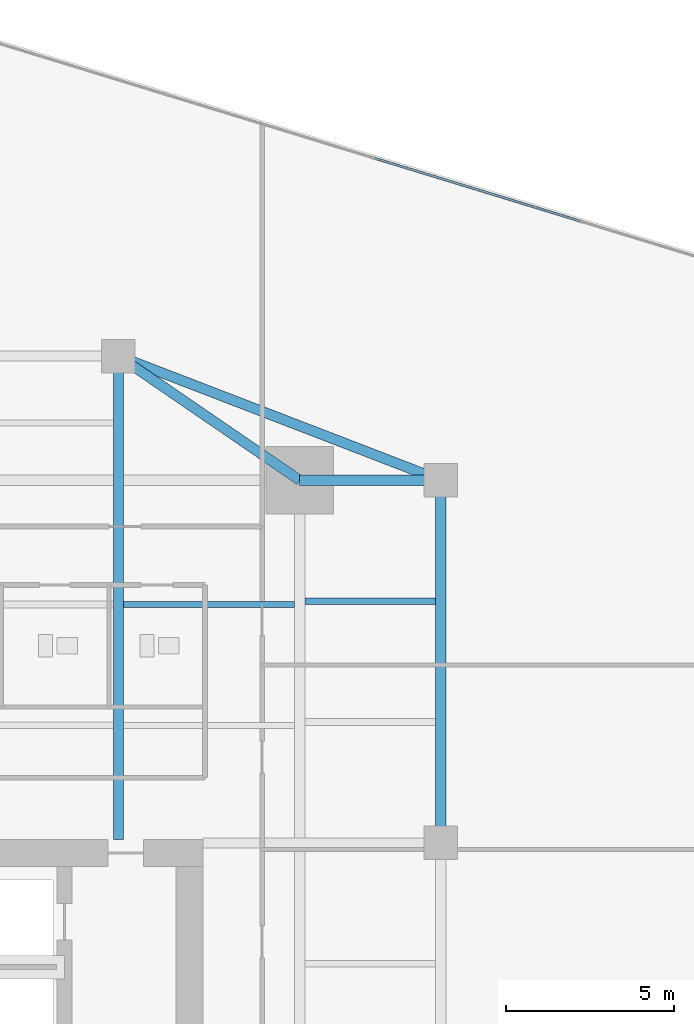
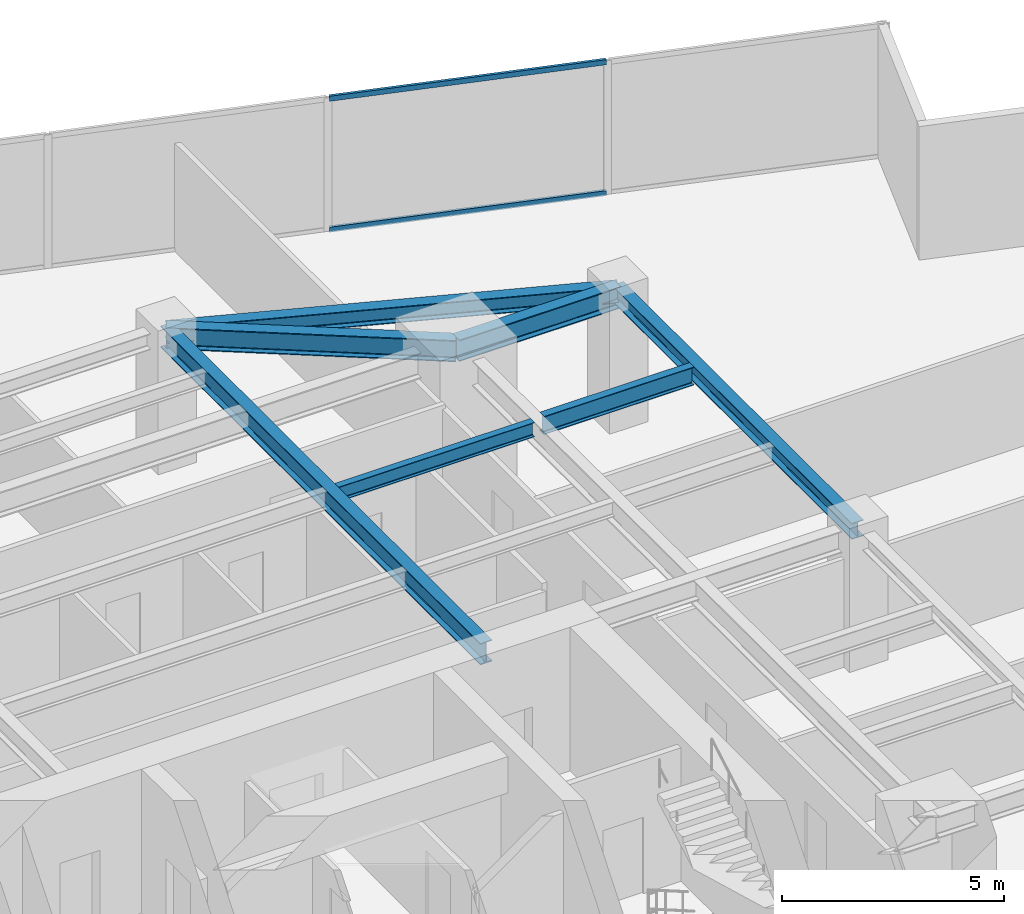
# One storey, part 18 of 26: 7 beams, 2 members, 1 element without a shape of its own.
"""IFC4 building model written with IfcOpenShell, lengths in metres."""

from ifc_helpers import new_model, si_unit, direction, frame, origin, origin_2d, place, context, subcontext, project, spatial, hollow_rectangle, i_section, extrude, source, transform, mapped, material, material_profile, profile_set, type_object, type_shapes, element, aggregate, save


model = new_model("IFC4")

# Units and contexts
model_context = context("Model", 3, precision=1e-05, world=origin(), true_north=direction((0.0, 1.0)))
body_context = subcontext(model_context, "Body", "Model", "MODEL_VIEW")
ifc_project = project(units=[si_unit("LENGTHUNIT", "METRE"), si_unit("AREAUNIT", "SQUARE_METRE"), si_unit("VOLUMEUNIT", "CUBIC_METRE"), si_unit("PLANEANGLEUNIT", "RADIAN"), si_unit("MASSUNIT", "GRAM", prefix="KILO")], contexts=[model_context])

# Site, building, storey
site_placement = place(None, origin())
site = spatial("IfcSite", under=ifc_project, at=site_placement, CompositionType="ELEMENT")
building_placement = place(site_placement, origin())
building = spatial("IfcBuilding", under=site, at=building_placement, Name="Krantzveldt Concourse Tower", CompositionType="ELEMENT")
storey_placement = place(building_placement, frame((0.0, 0.0, 109.800048828125)))
storey = spatial("IfcBuildingStorey", under=building, at=storey_placement, Name="L26", CompositionType="ELEMENT", Elevation=109.800048828125)

# Beams
ifc_material_1 = material(Name="Steel S355JR", Category="steel")
ifc_material_profile_1 = material_profile(ifc_material_1, i_section(OverallWidth=0.300048828125, OverallDepth=0.590087890625, WebThickness=0.012939453125, FlangeThickness=0.02490234375, FilletRadius=0.027099609375, at=origin_2d()), Name="Steel S355JR", Category="steel")
ifc_profile_set_1 = profile_set([ifc_material_profile_1], Name="Steel S355JR - HEA 600")
beam_type_1 = type_object("IfcBeamType", Name="BM-B-HEA600", PredefinedType="BEAM", material=ifc_profile_set_1)
shared_shape_1 = source(origin(), body_context, "Body", "SweptSolid", [
    extrude(i_section(OverallWidth=0.300048828125, OverallDepth=0.590087890625, WebThickness=0.012939453125, FlangeThickness=0.02490234375, FilletRadius=0.027099609375, at=origin_2d()), origin(), (0.0, 0.0, 1.0), 14.39990234375),
])
beam_1_placement = place(storey_placement, frame((41.39990234375, 26.800048828125, 3.375), z_axis=(0.0, 1.0, 0.0), x_axis=(-1.0, 0.0, 0.0)))
element("IfcBeam", 1, at=beam_1_placement, inside=storey, type_object=beam_type_1, Name="L26 Tower Girder BG-CNE", PredefinedType="BEAM", context=body_context, shape_type="MappedRepresentation", body=[
    mapped(shared_shape_1, transform((0.0, 0.0, 0.0), x_axis=(1.0, 0.0, 0.0), y_axis=(0.0, 1.0, 0.0), z_axis=(0.0, 0.0, 1.0), scale=1.0)),
])
ifc_material_profile_2 = material_profile(ifc_material_1, i_section(OverallWidth=0.300048828125, OverallDepth=0.43994140625, WebThickness=0.011474609375, FlangeThickness=0.02099609375, FilletRadius=0.027099609375, at=origin_2d()), Name="Steel S355JR", Category="steel")
ifc_profile_set_2 = profile_set([ifc_material_profile_2], Name="Steel S355JR - HEA 450")
beam_type_2 = type_object("IfcBeamType", Name="BM-SP-HEA450", PredefinedType="SPANDREL", material=ifc_profile_set_2)
shared_shape_2 = source(origin(), body_context, "Body", "SweptSolid", [
    extrude(i_section(OverallWidth=0.300048828125, OverallDepth=0.43994140625, WebThickness=0.011474609375, FlangeThickness=0.02099609375, FilletRadius=0.027099609375, at=origin_2d()), origin(), (0.0, 0.0, 1.0), 10.800048828125),
])
beam_2_placement = place(storey_placement, frame((51.0, 37.5, 3.449951171875), z_axis=(0.0, -1.0, 0.0), x_axis=(1.0, 0.0, 0.0)))
element("IfcBeam", 2, at=beam_2_placement, inside=storey, type_object=beam_type_2, Name="L26 Tower Girder SP-R06", PredefinedType="SPANDREL", context=body_context, shape_type="MappedRepresentation", body=[
    mapped(shared_shape_2, transform((0.0, 0.0, 0.0), x_axis=(1.0, 0.0, 0.0), y_axis=(0.0, 1.0, 0.0), z_axis=(0.0, 0.0, 1.0), scale=1.0)),
])
shared_shape_3 = source(origin(), body_context, "Body", "SweptSolid", [
    extrude(i_section(OverallWidth=0.300048828125, OverallDepth=0.43994140625, WebThickness=0.011474609375, FlangeThickness=0.02099609375, FilletRadius=0.027099609375, at=origin_2d()), origin(), (0.0, 0.0, 1.0), 10.288330078125),
])
type_shapes(beam_type_2, [shared_shape_2, shared_shape_3])
beam_3_placement = place(storey_placement, frame((41.39990234375, 41.199951171875, 3.449951171875), z_axis=(0.933097690408, -0.359622997257, 0.0), x_axis=(0.359622997257, 0.933097690408, 0.0)))
element("IfcBeam", 3, at=beam_3_placement, inside=storey, type_object=beam_type_2, Name="L26 Tower Girder SP-R05", PredefinedType="SPANDREL", context=body_context, shape_type="MappedRepresentation", body=[
    mapped(shared_shape_3, transform((0.0, 0.0, 0.0), x_axis=(1.0, 0.0, 0.0), y_axis=(0.0, 1.0, 0.0), z_axis=(0.0, 0.0, 1.0), scale=1.0)),
])
shared_shape_4 = source(origin(), body_context, "Body", "SweptSolid", [
    extrude(i_section(OverallWidth=0.300048828125, OverallDepth=0.590087890625, WebThickness=0.012939453125, FlangeThickness=0.02490234375, FilletRadius=0.027099609375, at=origin_2d()), origin(), (0.0, 0.0, 1.0), 4.199951171875),
])
beam_4_placement = place(storey_placement, frame((46.800048828125, 37.5, 3.375), z_axis=(1.0, 0.0, 0.0), x_axis=(0.0, 1.0, 0.0)))
element("IfcBeam", 4, at=beam_4_placement, inside=storey, type_object=beam_type_1, Name="L26 Tower Girder BR-RR3", PredefinedType="BEAM", context=body_context, shape_type="MappedRepresentation", body=[
    mapped(shared_shape_4, transform((0.0, 0.0, 0.0), x_axis=(1.0, 0.0, 0.0), y_axis=(0.0, 1.0, 0.0), z_axis=(0.0, 0.0, 1.0), scale=1.0)),
])
shared_shape_5 = source(origin(), body_context, "Body", "SweptSolid", [
    extrude(i_section(OverallWidth=0.300048828125, OverallDepth=0.590087890625, WebThickness=0.012939453125, FlangeThickness=0.02490234375, FilletRadius=0.027099609375, at=origin_2d()), origin(), (0.0, 0.0, 1.0), 6.546142578125),
])
type_shapes(beam_type_1, [shared_shape_1, shared_shape_4, shared_shape_5])
beam_5_placement = place(storey_placement, frame((46.800048828125, 37.5, 3.375), z_axis=(-0.824942999484, 0.565215930068, 0.0), x_axis=(-0.565215930068, -0.824942999484, 0.0)))
element("IfcBeam", 5, at=beam_5_placement, inside=storey, type_object=beam_type_1, Name="L26 Tower Girder BR-RR4", PredefinedType="BEAM", context=body_context, shape_type="MappedRepresentation", body=[
    mapped(shared_shape_5, transform((0.0, 0.0, 0.0), x_axis=(1.0, 0.0, 0.0), y_axis=(0.0, 1.0, 0.0), z_axis=(0.0, 0.0, 1.0), scale=1.0)),
])
ifc_material_profile_3 = material_profile(ifc_material_1, i_section(OverallWidth=0.179931640625, OverallDepth=0.39990234375, WebThickness=0.008544921875, FlangeThickness=0.013427734375, FilletRadius=0.02099609375, at=origin_2d()), Name="Steel S355JR", Category="steel")
ifc_profile_set_3 = profile_set([ifc_material_profile_3], Name="Steel S355JR - IPE 400")
beam_type_3 = type_object("IfcBeamType", Name="BM-J-IPE400", PredefinedType="JOIST", material=ifc_profile_set_3)
shared_shape_6 = source(origin(), body_context, "Body", "SweptSolid", [
    extrude(i_section(OverallWidth=0.179931640625, OverallDepth=0.39990234375, WebThickness=0.008544921875, FlangeThickness=0.013427734375, FilletRadius=0.02099609375, at=origin_2d()), origin(), (0.0, 0.0, 1.0), 5.099853515625),
])
type_shapes(beam_type_3, [shared_shape_6])
beam_6_placement = place(storey_placement, frame((41.550048828125, 33.800048828125, 3.469970703125), z_axis=(1.0, 0.0, 0.0), x_axis=(0.0, 1.0, 0.0)))
element("IfcBeam", 6, at=beam_6_placement, inside=storey, type_object=beam_type_3, Name="L26 Secondary Floor Joist JN-E2", PredefinedType="JOIST", context=body_context, shape_type="MappedRepresentation", body=[
    mapped(shared_shape_6, transform((0.0, 0.0, 0.0), x_axis=(1.0, 0.0, 0.0), y_axis=(0.0, 1.0, 0.0), z_axis=(0.0, 0.0, 1.0), scale=1.0)),
])
ifc_material_profile_4 = material_profile(ifc_material_1, i_section(OverallWidth=0.199951171875, OverallDepth=0.5, WebThickness=0.01025390625, FlangeThickness=0.01611328125, FilletRadius=0.02099609375, at=origin_2d()), Name="Steel S355JR", Category="steel")
ifc_profile_set_4 = profile_set([ifc_material_profile_4], Name="Steel S355JR - IPE 500")
beam_type_4 = type_object("IfcBeamType", Name="BM-J-IPE500", PredefinedType="JOIST", material=ifc_profile_set_4)
shared_shape_7 = source(origin(), body_context, "Body", "SweptSolid", [
    extrude(i_section(OverallWidth=0.199951171875, OverallDepth=0.5, WebThickness=0.01025390625, FlangeThickness=0.01611328125, FilletRadius=0.02099609375, at=origin_2d()), origin(), (0.0, 0.0, 1.0), 3.900146484375),
])
type_shapes(beam_type_4, [shared_shape_7])
beam_7_placement = place(storey_placement, frame((46.949951171875, 33.89990234375, 3.419921875), z_axis=(1.0, 0.0, 0.0), x_axis=(0.0, 1.0, 0.0)))
element("IfcBeam", 7, at=beam_7_placement, inside=storey, type_object=beam_type_4, Name="L26 Secondary Floor Joist JE-4", PredefinedType="JOIST", context=body_context, shape_type="MappedRepresentation", body=[
    mapped(shared_shape_7, transform((0.0, 0.0, 0.0), x_axis=(1.0, 0.0, 0.0), y_axis=(0.0, 1.0, 0.0), z_axis=(0.0, 0.0, 1.0), scale=1.0)),
])

# Curtain wall, members
ifc_material_2 = material(Name="Anodised aluminium 6063-T6", Category="aluminium")
curtain_wall_type = type_object("IfcCurtainWallType", Name="CW2", PredefinedType="USERDEFINED", material=ifc_material_2)
curtain_wall_placement = place(storey_placement, origin())
curtain_wall = element("IfcCurtainWall", 8, at=curtain_wall_placement, inside=storey, type_object=curtain_wall_type, Name="CW-L26-F10", ObjectType="UNITISED CURTAIN WALL", PredefinedType="USERDEFINED")
ifc_material_profile_5 = material_profile(ifc_material_2, hollow_rectangle(XDim=0.070068359375, YDim=0.139892578125, WallThickness=0.0048828125, at=origin_2d()), Name="Anodised aluminium 6063-T6", Category="aluminium")
ifc_profile_set_5 = profile_set([ifc_material_profile_5], Name="Anodised aluminium 6063-T6 - ALU-TRAN 140x70x5")
member_type = type_object("IfcMemberType", Name="CW-TRN-150", PredefinedType="USERDEFINED", material=ifc_profile_set_5)
shared_shape_8 = source(origin(), body_context, "Body", "SweptSolid", [
    extrude(hollow_rectangle(XDim=0.070068359375, YDim=0.139892578125, WallThickness=0.0048828125, at=origin_2d()), origin(), (0.0, 0.0, 1.0), 6.396728515625),
])
type_shapes(member_type, [shared_shape_8])
member_1_placement = place(storey_placement, frame((55.14990234375, 45.220458984375, 0.034912109375), z_axis=(-0.956308895855, 0.292358163404, 0.0), x_axis=(-0.292358163404, -0.956308895855, 0.0)))
member_1 = element("IfcMember", 9, at=member_1_placement, type_object=member_type, Name="CW-Z12 transom 2.1", ObjectType="TRANSOM", PredefinedType="USERDEFINED", context=body_context, shape_type="MappedRepresentation", body=[
    mapped(shared_shape_8, transform((0.0, 0.0, 0.0), x_axis=(1.0, 0.0, 0.0), y_axis=(0.0, 1.0, 0.0), z_axis=(0.0, 0.0, 1.0), scale=1.0)),
])
member_2_placement = place(storey_placement, frame((55.14990234375, 45.220458984375, 3.635009765625), z_axis=(-0.956308895855, 0.292358163404, 0.0), x_axis=(-0.292358163404, -0.956308895855, 0.0)))
member_2 = element("IfcMember", 10, at=member_2_placement, type_object=member_type, Name="CW-Z12 transom 2.2", ObjectType="TRANSOM", PredefinedType="USERDEFINED", context=body_context, shape_type="MappedRepresentation", body=[
    mapped(shared_shape_8, transform((0.0, 0.0, 0.0), x_axis=(1.0, 0.0, 0.0), y_axis=(0.0, 1.0, 0.0), z_axis=(0.0, 0.0, 1.0), scale=1.0)),
])
aggregate(curtain_wall, [member_1, member_2])

save(model, "model.ifc")
